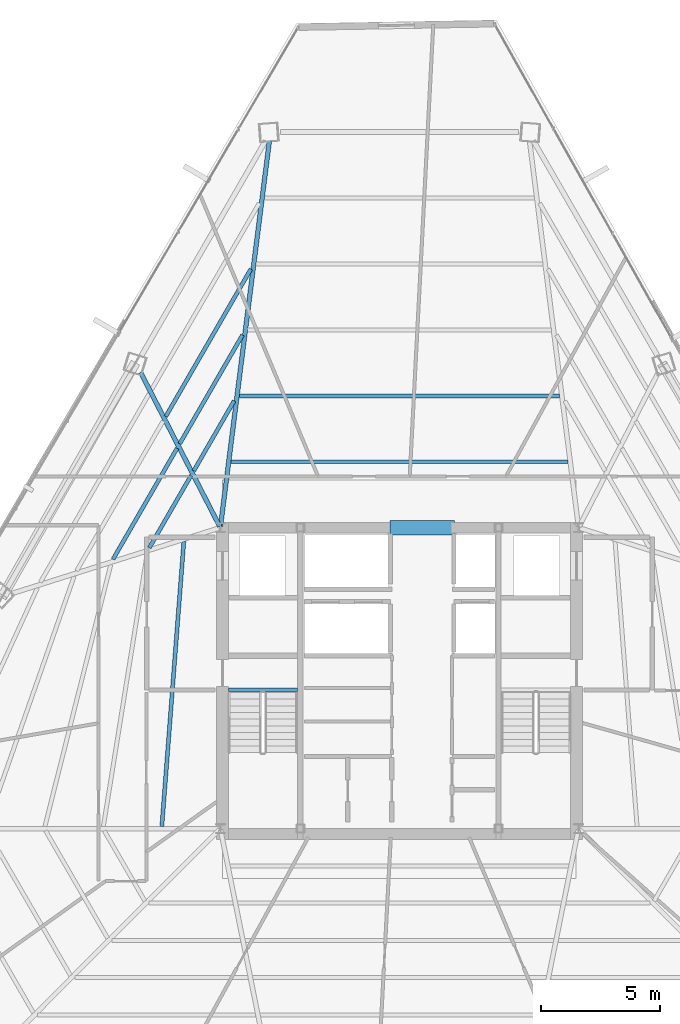
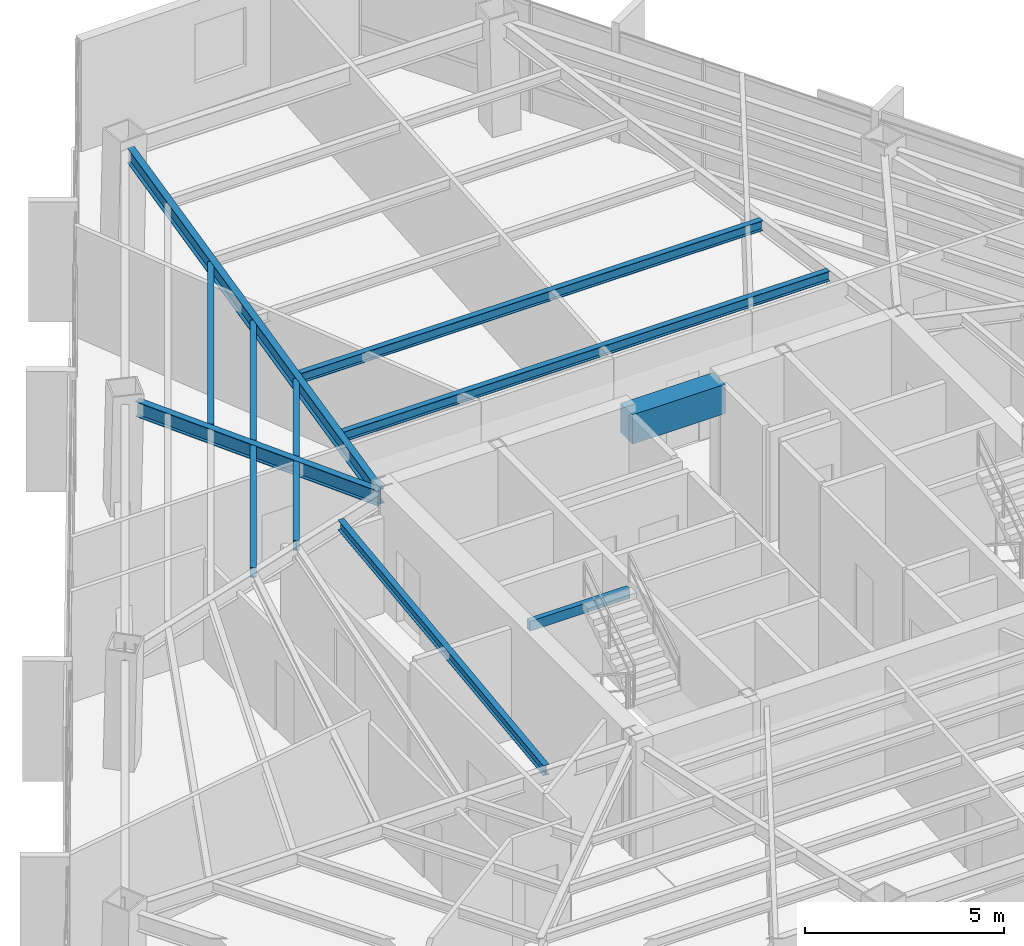
# One storey, part 17 of 42: 12 beams.
"""IFC4 building model written with IfcOpenShell, lengths in metres."""

from ifc_helpers import new_model, si_unit, direction, frame, origin, origin_2d, place, context, subcontext, project, spatial, rectangle, hollow_rectangle, i_section, extrude, source, transform, mapped, material, material_profile, profile_set, type_object, type_shapes, element, save


model = new_model("IFC4")

# Units and contexts
model_context = context("Model", 3, precision=1e-05, world=origin(), true_north=direction((0.0, 1.0)))
body_context = subcontext(model_context, "Body", "Model", "MODEL_VIEW")
ifc_project = project(units=[si_unit("LENGTHUNIT", "METRE"), si_unit("AREAUNIT", "SQUARE_METRE"), si_unit("VOLUMEUNIT", "CUBIC_METRE"), si_unit("PLANEANGLEUNIT", "RADIAN"), si_unit("MASSUNIT", "GRAM", prefix="KILO")], contexts=[model_context])

# Site, building, storey
site_placement = place(None, origin())
site = spatial("IfcSite", under=ifc_project, at=site_placement, CompositionType="ELEMENT")
building_placement = place(site_placement, origin())
building = spatial("IfcBuilding", under=site, at=building_placement, Name="Caelisora Broadcast Tower", CompositionType="ELEMENT")
storey_placement = place(building_placement, frame((0.0, 0.0, 187.699951171875)))
storey = spatial("IfcBuildingStorey", under=building, at=storey_placement, Name="L49", CompositionType="ELEMENT", Elevation=187.699951171875)

# Beams
ifc_material_1 = material(Name="Steel Grade 350 (AS/NZS 1163 C350L0)", Category="steel")
ifc_material_profile_1 = material_profile(ifc_material_1, hollow_rectangle(XDim=0.14990234375, YDim=0.300048828125, WallThickness=0.010009765625, at=origin_2d()), Name="Steel Grade 350 (AS/NZS 1163 C350L0)")
ifc_profile_set_1 = profile_set([ifc_material_profile_1], Name="Steel Grade 350 (AS/NZS 1163 C350L0)")
beam_type_1 = type_object("IfcBeamType", Name="SB05", PredefinedType="JOIST", material=ifc_profile_set_1)
shared_shape_1 = source(origin(), body_context, "Body", "SweptSolid", [
    extrude(hollow_rectangle(XDim=0.14990234375, YDim=0.300048828125, WallThickness=0.010009765625, at=origin_2d()), origin(), (0.0, 0.0, 1.0), 2.89990234375),
])
type_shapes(beam_type_1, [shared_shape_1])
beam_1_placement = place(storey_placement, frame((30.840087890625, 23.219970703125, 3.25), z_axis=(1.0, 0.0, 0.0), x_axis=(0.0, 1.0, 0.0)))
element("IfcBeam", 1, at=beam_1_placement, inside=storey, type_object=beam_type_1, Name="L49 beam SB05", PredefinedType="JOIST", context=body_context, shape_type="MappedRepresentation", body=[
    mapped(shared_shape_1, transform((0.0, 0.0, 0.0), scale=1.0)),
])
ifc_material_2 = material(Name="Concrete 50 MPa (AS 3600 S50)", Category="concrete")
ifc_material_profile_2 = material_profile(ifc_material_2, rectangle(XDim=0.60009765625, YDim=0.89990234375, at=origin_2d()), Name="Concrete 50 MPa (AS 3600 S50)")
ifc_profile_set_2 = profile_set([ifc_material_profile_2], Name="Concrete 50 MPa (AS 3600 S50)")
beam_type_2 = type_object("IfcBeamType", Name="CB02", PredefinedType="LINTEL", material=ifc_profile_set_2)
shared_shape_2 = source(origin(), body_context, "Body", "SweptSolid", [
    extrude(rectangle(XDim=0.60009765625, YDim=0.89990234375, at=origin_2d()), origin(), (0.0, 0.0, 1.0), 2.699951171875),
])
type_shapes(beam_type_2, [shared_shape_2])
beam_2_placement = place(storey_placement, frame((37.60009765625, 30.0, 2.949951171875), z_axis=(1.0, 0.0, 0.0), x_axis=(0.0, 1.0, 0.0)))
element("IfcBeam", 2, at=beam_2_placement, inside=storey, type_object=beam_type_2, Name="L49 beam CB02", PredefinedType="LINTEL", context=body_context, shape_type="MappedRepresentation", body=[
    mapped(shared_shape_2, transform((0.0, 0.0, 0.0), scale=1.0)),
])
ifc_material_3 = material(Name="Steel Grade 350 (AS/NZS 3679.1)", Category="steel")
ifc_material_profile_3 = material_profile(ifc_material_3, i_section(OverallWidth=0.19091796875, OverallDepth=0.46044921875, WebThickness=0.010009765625, FlangeThickness=0.01611328125, at=origin_2d()), Name="Steel Grade 350 (AS/NZS 3679.1)")
ifc_profile_set_3 = profile_set([ifc_material_profile_3], Name="Steel Grade 350 (AS/NZS 3679.1)")
beam_type_3 = type_object("IfcBeamType", Name="PG06", PredefinedType="BEAM", material=ifc_profile_set_3)
shared_shape_3 = source(origin(), body_context, "Body", "SweptSolid", [
    extrude(i_section(OverallWidth=0.19091796875, OverallDepth=0.46044921875, WebThickness=0.010009765625, FlangeThickness=0.01611328125, at=origin_2d()), origin(), (0.0, 0.0, 1.0), 16.2568359375),
])
beam_3_placement = place(storey_placement, frame((30.507568359375, 30.0595703125, 3.169921875), z_axis=(0.125803393224, 0.992055193149, 0.0), x_axis=(-0.992055193149, 0.125803393224, 0.0)))
element("IfcBeam", 3, at=beam_3_placement, inside=storey, type_object=beam_type_3, Name="L49 beam PG06", PredefinedType="BEAM", context=body_context, shape_type="MappedRepresentation", body=[
    mapped(shared_shape_3, transform((0.0, 0.0, 0.0), scale=1.0)),
])
shared_shape_4 = source(origin(), body_context, "Body", "SweptSolid", [
    extrude(i_section(OverallWidth=0.19091796875, OverallDepth=0.46044921875, WebThickness=0.010009765625, FlangeThickness=0.01611328125, at=origin_2d()), origin(), (0.0, 0.0, 1.0), 7.252197265625),
])
type_shapes(beam_type_3, [shared_shape_3, shared_shape_4])
beam_4_placement = place(storey_placement, frame((30.47265625, 30.053466796875, 3.169921875), z_axis=(-0.456896121894, 0.88952005812, 0.0), x_axis=(-0.88952005812, -0.456896121894, 0.0)))
element("IfcBeam", 4, at=beam_4_placement, inside=storey, type_object=beam_type_3, Name="L49 beam PG06", PredefinedType="BEAM", context=body_context, shape_type="MappedRepresentation", body=[
    mapped(shared_shape_4, transform((0.0, 0.0, 0.0), scale=1.0)),
])
ifc_material_profile_4 = material_profile(ifc_material_3, i_section(OverallWidth=0.166015625, OverallDepth=0.30712890625, WebThickness=0.006591796875, FlangeThickness=0.01171875, at=origin_2d()), Name="Steel Grade 350 (AS/NZS 3679.1)")
ifc_profile_set_4 = profile_set([ifc_material_profile_4], Name="Steel Grade 350 (AS/NZS 3679.1)")
beam_type_4 = type_object("IfcBeamType", Name="SB03", PredefinedType="JOIST", material=ifc_profile_set_4)
shared_shape_5 = source(origin(), body_context, "Body", "SweptSolid", [
    extrude(i_section(OverallWidth=0.166015625, OverallDepth=0.30712890625, WebThickness=0.006591796875, FlangeThickness=0.01171875, at=origin_2d()), origin(), (0.0, 0.0, 1.0), 14.11328125),
])
beam_5_placement = place(storey_placement, frame((45.056640625, 32.760009765625, 3.246337890625), z_axis=(-1.0, 0.0, 0.0), x_axis=(0.0, -1.0, 0.0)))
element("IfcBeam", 5, at=beam_5_placement, inside=storey, type_object=beam_type_4, Name="L49 beam SB03", PredefinedType="JOIST", context=body_context, shape_type="MappedRepresentation", body=[
    mapped(shared_shape_5, transform((0.0, 0.0, 0.0), scale=1.0)),
])
shared_shape_6 = source(origin(), body_context, "Body", "SweptSolid", [
    extrude(i_section(OverallWidth=0.166015625, OverallDepth=0.30712890625, WebThickness=0.006591796875, FlangeThickness=0.01171875, at=origin_2d()), origin(), (0.0, 0.0, 1.0), 13.41357421875),
])
beam_6_placement = place(storey_placement, frame((44.706787109375, 35.52001953125, 3.246337890625), z_axis=(-1.0, 0.0, 0.0), x_axis=(0.0, -1.0, 0.0)))
element("IfcBeam", 6, at=beam_6_placement, inside=storey, type_object=beam_type_4, Name="L49 beam SB03", PredefinedType="JOIST", context=body_context, shape_type="MappedRepresentation", body=[
    mapped(shared_shape_6, transform((0.0, 0.0, 0.0), scale=1.0)),
])
shared_shape_7 = source(origin(), body_context, "Body", "SweptSolid", [
    extrude(i_section(OverallWidth=0.166015625, OverallDepth=0.30712890625, WebThickness=0.006591796875, FlangeThickness=0.01171875, at=origin_2d()), origin(), (0.0, 0.0, 1.0), 3.387451171875),
])
beam_7_placement = place(storey_placement, frame((31.078125, 35.30908203125, 3.246337890625), z_axis=(-0.499976170333, -0.866039161412, 0.0), x_axis=(0.866039161412, -0.499976170333, 0.0)))
element("IfcBeam", 7, at=beam_7_placement, inside=storey, type_object=beam_type_4, Name="L49 beam SB03", PredefinedType="JOIST", context=body_context, shape_type="MappedRepresentation", body=[
    mapped(shared_shape_7, transform((0.0, 0.0, 0.0), scale=1.0)),
])
shared_shape_8 = source(origin(), body_context, "Body", "SweptSolid", [
    extrude(i_section(OverallWidth=0.166015625, OverallDepth=0.30712890625, WebThickness=0.006591796875, FlangeThickness=0.01171875, at=origin_2d()), origin(), (0.0, 0.0, 1.0), 5.25830078125),
])
beam_8_placement = place(storey_placement, frame((31.42822265625, 38.069091796875, 3.246337890625), z_axis=(-0.499989046147, -0.866031727902, 0.0), x_axis=(0.866031727902, -0.499989046147, 0.0)))
element("IfcBeam", 8, at=beam_8_placement, inside=storey, type_object=beam_type_4, Name="L49 beam SB03", PredefinedType="JOIST", context=body_context, shape_type="MappedRepresentation", body=[
    mapped(shared_shape_8, transform((0.0, 0.0, 0.0), scale=1.0)),
])
shared_shape_9 = source(origin(), body_context, "Body", "SweptSolid", [
    extrude(i_section(OverallWidth=0.166015625, OverallDepth=0.30712890625, WebThickness=0.006591796875, FlangeThickness=0.01171875, at=origin_2d()), origin(), (0.0, 0.0, 1.0), 7.129150390625),
])
beam_9_placement = place(storey_placement, frame((31.7783203125, 40.8291015625, 3.246337890625), z_axis=(-0.500009992011, -0.866019634817, 0.0), x_axis=(0.866019634817, -0.500009992011, 0.0)))
element("IfcBeam", 9, at=beam_9_placement, inside=storey, type_object=beam_type_4, Name="L49 beam SB03", PredefinedType="JOIST", context=body_context, shape_type="MappedRepresentation", body=[
    mapped(shared_shape_9, transform((0.0, 0.0, 0.0), scale=1.0)),
])
shared_shape_10 = source(origin(), body_context, "Body", "SweptSolid", [
    extrude(i_section(OverallWidth=0.166015625, OverallDepth=0.30712890625, WebThickness=0.006591796875, FlangeThickness=0.01171875, at=origin_2d()), origin(), (0.0, 0.0, 1.0), 3.49267578125),
])
beam_10_placement = place(storey_placement, frame((29.27392578125, 32.183837890625, 3.246337890625), z_axis=(-0.500010879287, -0.866019122534, 0.0), x_axis=(0.866019122534, -0.500010879287, 0.0)))
element("IfcBeam", 10, at=beam_10_placement, inside=storey, type_object=beam_type_4, Name="L49 beam SB03", PredefinedType="JOIST", context=body_context, shape_type="MappedRepresentation", body=[
    mapped(shared_shape_10, transform((0.0, 0.0, 0.0), scale=1.0)),
])
shared_shape_11 = source(origin(), body_context, "Body", "SweptSolid", [
    extrude(i_section(OverallWidth=0.166015625, OverallDepth=0.30712890625, WebThickness=0.006591796875, FlangeThickness=0.01171875, at=origin_2d()), origin(), (0.0, 0.0, 1.0), 5.363525390625),
])
beam_11_placement = place(storey_placement, frame((28.6884765625, 33.32373046875, 3.246337890625), z_axis=(-0.500011394563, -0.86601882503, 0.0), x_axis=(0.86601882503, -0.500011394563, 0.0)))
element("IfcBeam", 11, at=beam_11_placement, inside=storey, type_object=beam_type_4, Name="L49 beam SB03", PredefinedType="JOIST", context=body_context, shape_type="MappedRepresentation", body=[
    mapped(shared_shape_11, transform((0.0, 0.0, 0.0), scale=1.0)),
])
shared_shape_12 = source(origin(), body_context, "Body", "SweptSolid", [
    extrude(i_section(OverallWidth=0.166015625, OverallDepth=0.30712890625, WebThickness=0.006591796875, FlangeThickness=0.01171875, at=origin_2d()), origin(), (0.0, 0.0, 1.0), 11.96337890625),
])
type_shapes(beam_type_4, [shared_shape_5, shared_shape_6, shared_shape_7, shared_shape_8, shared_shape_9, shared_shape_10, shared_shape_11, shared_shape_12])
beam_12_placement = place(storey_placement, frame((28.971435546875, 29.419921875, 3.246337890625), z_axis=(-0.076955547682, -0.997034524819, 0.0), x_axis=(0.997034524819, -0.076955547682, 0.0)))
element("IfcBeam", 12, at=beam_12_placement, inside=storey, type_object=beam_type_4, Name="L49 beam SB03", PredefinedType="JOIST", context=body_context, shape_type="MappedRepresentation", body=[
    mapped(shared_shape_12, transform((0.0, 0.0, 0.0), scale=1.0)),
])

save(model, "model.ifc")
